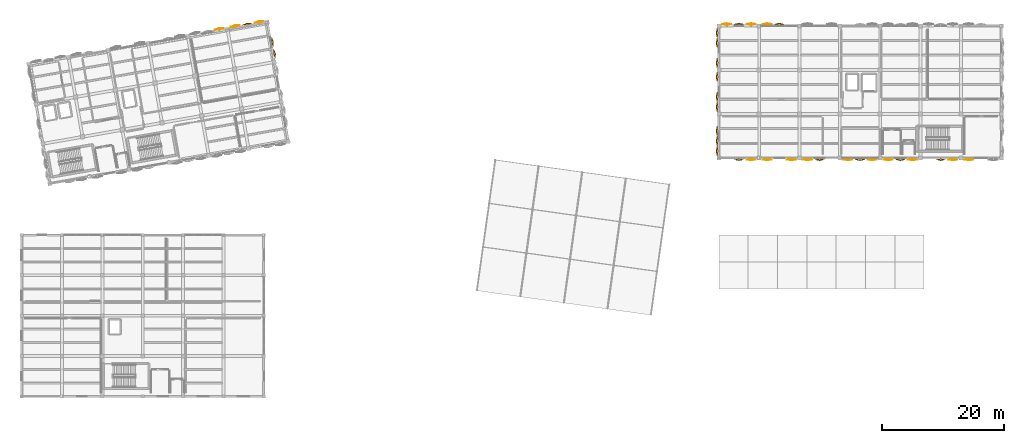
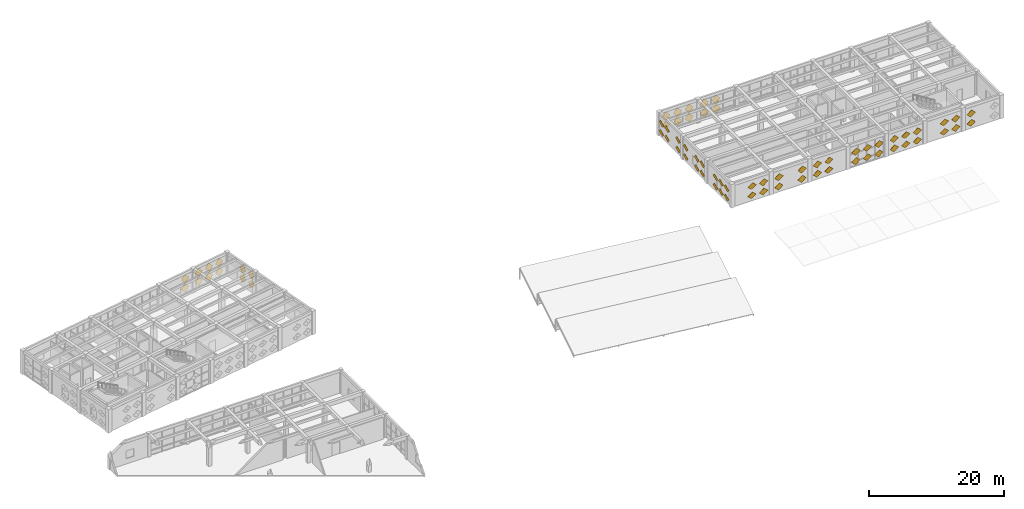
# One storey, part 47 of 48: 70 coverings.
"""IFC4 building model written with IfcOpenShell, lengths in metres."""

from ifc_helpers import new_model, si_unit, direction, frame, origin, place, context, subcontext, project, spatial, polyline, outline, extrude, material, type_object, element, save


model = new_model("IFC4")

# Units and contexts
model_context = context("Model", 3, precision=1e-05, world=origin(), true_north=direction((0.0, 1.0)))
body_context = subcontext(model_context, "Body", "Model", "MODEL_VIEW")
ifc_project = project(units=[si_unit("LENGTHUNIT", "METRE"), si_unit("AREAUNIT", "SQUARE_METRE"), si_unit("VOLUMEUNIT", "CUBIC_METRE"), si_unit("PLANEANGLEUNIT", "RADIAN"), si_unit("MASSUNIT", "GRAM", prefix="KILO")], contexts=[model_context])

# Site, building, storey
site_placement = place(None, origin())
site = spatial("IfcSite", under=ifc_project, at=site_placement, CompositionType="ELEMENT")
building_placement = place(site_placement, origin())
building = spatial("IfcBuilding", under=site, at=building_placement, Name="Kharisveld Research Institute", CompositionType="ELEMENT")
storey_placement = place(building_placement, frame((0.0, 0.0, 14.10009765625)))
storey = spatial("IfcBuildingStorey", under=building, at=storey_placement, Name="L03", CompositionType="ELEMENT", Elevation=14.10009765625)

# Coverings
ifc_material = material(Name="White Powder-Coated Perforated Aluminium", Category="aluminium")
covering_type = type_object("IfcCoveringType", Name="CV_DIA_105", PredefinedType="CLADDING")
covering_1_placement = place(storey_placement, frame((32.943115234375, 60.14697265625, 0.317626953125), z_axis=(0.171238636855, -0.971325222312, 0.164938296792), x_axis=(0.676191865964, 0.23762399085, 0.697351704219)))
element("IfcCovering", 1, at=covering_1_placement, inside=storey, type_object=covering_type, material=ifc_material, Name="SHD:V1:L03:N4:S2C0", PredefinedType="CLADDING", context=body_context, shape_type="SweptSolid", body=[
    extrude(outline(polyline([(0.0, 0.0), (1.0499451723202433, -1.1102230246251565e-16), (1.0499335917706356, 1.0500851276195962), (-0.00018183243052050102, 1.0499148413347306), (0.0, 0.0)])), origin(), (0.0, 0.0, -1.0), 0.02392578125),
])
covering_2_placement = place(storey_placement, frame((32.943115234375, 60.14697265625, 2.017578125), z_axis=(0.171238636855, -0.971325222312, 0.164938296792), x_axis=(0.676075661849, 0.237622709321, 0.697464800165)))
element("IfcCovering", 2, at=covering_2_placement, inside=storey, type_object=covering_type, material=ifc_material, Name="SHD:V1:L03:N4:S2C1", PredefinedType="CLADDING", context=body_context, shape_type="SweptSolid", body=[
    extrude(outline(polyline([(0.0, 0.0), (1.050115438007933, 0.0), (1.0501038593359955, 1.049914857016463), (0.00015870082029023624, 1.050085115691115), (0.0, 0.0)])), origin(), (0.0, 0.0, -1.0), 0.02392578125),
])
covering_3_placement = place(storey_placement, frame((35.530029296875, 60.60302734375, 0.317626953125), z_axis=(0.171260983897, -0.971289803558, 0.165123568578), x_axis=(0.67604629243, 0.23777103681, 0.697442717753)))
element("IfcCovering", 3, at=covering_3_placement, inside=storey, type_object=covering_type, material=ifc_material, Name="SHD:V1:L03:N5:S0C0", PredefinedType="CLADDING", context=body_context, shape_type="SweptSolid", body=[
    extrude(outline(polyline([(0.0, 0.0), (1.049780098206416, 0.0), (1.0500015424873141, 1.050083198396327), (-6.879389649716572e-06, 1.0499148526388677), (0.0, 0.0)])), origin(), (0.0, 0.0, -1.0), 0.02392578125),
])
covering_4_placement = place(storey_placement, frame((35.530029296875, 60.60302734375, 2.017578125), z_axis=(0.171260983897, -0.971289803558, 0.165123568578), x_axis=(0.675930071115, 0.237769766688, 0.697555787741)))
element("IfcCovering", 4, at=covering_4_placement, inside=storey, type_object=covering_type, material=ifc_material, Name="SHD:V1:L03:N5:S0C1", PredefinedType="CLADDING", context=body_context, shape_type="SweptSolid", body=[
    extrude(outline(polyline([(0.0, 0.0), (1.0499503861110382, 2.220446049250313e-16), (1.0501718035814118, 1.0499129229334039), (0.0003336699169195212, 1.0500850657008003), (0.0, 0.0)])), origin(), (0.0, 0.0, -1.0), 0.02392578125),
])
for number, where, z_axis, x_axis, name in (
    (5, (37.4931640625, 60.910400390625, 0.324951171875), (0.169497253476, -0.961447488939, 0.216539620108), (0.669709514325, 0.273559622879, 0.690401549211), "SHD:V1:L03:N5:S1C0"),
    (6, (37.4931640625, 60.910400390625, 2.025146484375), (0.169497253476, -0.961447488939, 0.216539620108), (0.669709514325, 0.273559622879, 0.690401549211), "SHD:V1:L03:N5:S1C1"),
):
    element("IfcCovering", number, at=place(storey_placement, frame(where, z_axis=z_axis, x_axis=x_axis)), inside=storey, type_object=covering_type, material=ifc_material, Name=name, PredefinedType="CLADDING", context=body_context, shape_type="SweptSolid", body=[
        extrude(outline(polyline([(0.0, 0.0), (1.0498710247482905, 1.1102230246251565e-16), (1.0500604861589913, 1.0499603082606803), (-4.0828905999434895e-05, 1.0501299918190874), (0.0, 0.0)])), origin(), (0.0, 0.0, -1.0), 0.02392578125),
    ])
covering_5_placement = place(storey_placement, frame((39.44287109375, 61.29296875, 0.317626953125), z_axis=(0.171234061711, -0.9712992705, 0.165095800177), x_axis=(0.676172534966, 0.237733660148, 0.69733306948)))
element("IfcCovering", 7, at=covering_5_placement, inside=storey, type_object=covering_type, material=ifc_material, Name="SHD:V1:L03:N5:S2C0", PredefinedType="CLADDING", context=body_context, shape_type="SweptSolid", body=[
    extrude(outline(polyline([(0.0, 0.0), (1.049945167901042, 2.220446049250313e-16), (1.0499916144071415, 1.0500832207180806), (-0.0001818412696886762, 1.0499148369138707), (0.0, 0.0)])), origin(), (0.0, 0.0, -1.0), 0.02392578125),
])
covering_6_placement = place(storey_placement, frame((39.44287109375, 61.29296875, 2.017578125), z_axis=(0.171234061711, -0.9712992705, 0.165095800177), x_axis=(0.67605633082, 0.237732396439, 0.697446159385)))
element("IfcCovering", 8, at=covering_6_placement, inside=storey, type_object=covering_type, material=ifc_material, Name="SHD:V1:L03:N5:S2C1", PredefinedType="CLADDING", context=body_context, shape_type="SweptSolid", body=[
    extrude(outline(polyline([(0.0, 0.0), (1.050115429038497, -1.1102230246251565e-16), (1.0501618771158647, 1.0499129452537745), (0.00015868288277420817, 1.050085106724131), (0.0, 0.0)])), origin(), (0.0, 0.0, -1.0), 0.02392578125),
])
for number, where, z_axis, x_axis, name in (
    (9, (41.430908203125, 58.153076171875, 0.324951171875), (-0.961425979727, -0.169653966706, 0.216512394765), (0.27364360613, -0.669810730042, 0.69027006508), "SHD:V1:L03:E3:S1C0"),
    (10, (41.430908203125, 58.153076171875, 2.025146484375), (-0.961425979727, -0.169653966706, 0.216512394765), (0.27364360613, -0.669810730042, 0.69027006508), "SHD:V1:L03:E3:S1C1"),
):
    element("IfcCovering", number, at=place(storey_placement, frame(where, z_axis=z_axis, x_axis=x_axis)), inside=storey, type_object=covering_type, material=ifc_material, Name=name, PredefinedType="CLADDING", context=body_context, shape_type="SweptSolid", body=[
        extrude(outline(polyline([(0.0, 0.0), (1.0501013332243323, 1.1102230246251565e-16), (1.050054335240126, 1.049953488129867), (-4.699798420648715e-05, 1.049953488129867), (0.0, 0.0)])), origin(), (0.0, 0.0, -1.0), 0.02392578125),
    ])
for number, where, z_axis, x_axis, name in (
    (11, (41.77587890625, 56.196533203125, 0.324951171875), (-0.961420032054, -0.169652917176, 0.216539626071), (0.273662566838, -0.66980738436, 0.690265794725), "SHD:V1:L03:E3:S2C0"),
    (12, (41.77587890625, 56.196533203125, 2.025146484375), (-0.961420032054, -0.169652917176, 0.216539626071), (0.273662566838, -0.66980738436, 0.690265794725), "SHD:V1:L03:E3:S2C1"),
):
    element("IfcCovering", number, at=place(storey_placement, frame(where, z_axis=z_axis, x_axis=x_axis)), inside=storey, type_object=covering_type, material=ifc_material, Name=name, PredefinedType="CLADDING", context=body_context, shape_type="SweptSolid", body=[
        extrude(outline(polyline([(0.0, 0.0), (1.0501013330201203, 0.0), (1.049890807434033, 1.0501299757557796), (-4.699839263988537e-05, 1.0499534879256078), (0.0, 0.0)])), origin(), (0.0, 0.0, -1.0), 0.02392578125),
    ])
for number, where, z_axis, x_axis, name in (
    (13, (114.500732421875, 40.340087890625, 0.324951171875), (0.97627595375, 0.0, 0.216530049021), (-0.153110874941, 0.707102121536, 0.690335896281), "SHD:V2:L03:W0:S0C0"),
    (14, (114.500732421875, 40.340087890625, 2.025146484375), (0.97627595375, 0.0, 0.216530049021), (-0.153110874941, 0.707102121536, 0.690335896281), "SHD:V2:L03:W0:S0C1"),
    (15, (114.500732421875, 41.97998046875, 0.324951171875), (0.97627595375, 0.0, 0.216530049021), (-0.153110874941, 0.707102121536, 0.690335896281), "SHD:V2:L03:W0:S1C0"),
    (16, (114.500732421875, 41.97998046875, 2.025146484375), (0.97627595375, 0.0, 0.216530049021), (-0.153110874941, 0.707102121536, 0.690335896281), "SHD:V2:L03:W0:S1C1"),
):
    element("IfcCovering", number, at=place(storey_placement, frame(where, z_axis=z_axis, x_axis=x_axis)), inside=storey, type_object=covering_type, material=ifc_material, Name=name, PredefinedType="CLADDING", context=body_context, shape_type="SweptSolid", body=[
        extrude(outline(polyline([(0.0, 0.0), (1.0499638142969818, -1.1102230246251565e-16), (1.0500150328164886, 1.0500011942978444), (1.3837934803917484e-05, 1.0499638142057939), (0.0, 0.0)])), origin(), (0.0, 0.0, -1.0), 0.02392578125),
    ])
for number, where, z_axis, x_axis, name in (
    (17, (114.500732421875, 43.6201171875, 0.324951171875), (0.97627595375, 0.0, 0.216530049021), (-0.153110874941, 0.707102121536, 0.690335896281), "SHD:V2:L03:W0:S2C0"),
    (18, (114.500732421875, 43.6201171875, 2.025146484375), (0.97627595375, 0.0, 0.216530049021), (-0.153110874941, 0.707102121536, 0.690335896281), "SHD:V2:L03:W0:S2C1"),
):
    element("IfcCovering", number, at=place(storey_placement, frame(where, z_axis=z_axis, x_axis=x_axis)), inside=storey, type_object=covering_type, material=ifc_material, Name=name, PredefinedType="CLADDING", context=body_context, shape_type="SweptSolid", body=[
        extrude(outline(polyline([(0.0, 0.0), (1.0499638142969818, 0.0), (1.0500150328164886, 1.0500011942978447), (-0.0001587944190866164, 1.050136448834897), (0.0, 0.0)])), origin(), (0.0, 0.0, -1.0), 0.02392578125),
    ])
for number, where, z_axis, x_axis, name in (
    (19, (114.500732421875, 47.5400390625, 0.324951171875), (0.97627595375, 0.0, 0.216530049021), (-0.153110874941, 0.707102121536, 0.690335896281), "SHD:V2:L03:W1:S0C0"),
    (20, (114.500732421875, 47.5400390625, 2.025146484375), (0.97627595375, 0.0, 0.216530049021), (-0.153110874941, 0.707102121536, 0.690335896281), "SHD:V2:L03:W1:S0C1"),
    (21, (114.500732421875, 49.179931640625, 0.324951171875), (0.97627595375, 0.0, 0.216530049021), (-0.153110874941, 0.707102121536, 0.690335896281), "SHD:V2:L03:W1:S1C0"),
    (22, (114.500732421875, 49.179931640625, 2.025146484375), (0.97627595375, 0.0, 0.216530049021), (-0.153110874941, 0.707102121536, 0.690335896281), "SHD:V2:L03:W1:S1C1"),
    (23, (114.500732421875, 52.4599609375, 0.324951171875), (0.97627595375, 0.0, 0.216530049021), (-0.153110874941, 0.707102121536, 0.690335896281), "SHD:V2:L03:W1:S3C0"),
    (24, (114.500732421875, 52.4599609375, 2.025146484375), (0.97627595375, 0.0, 0.216530049021), (-0.153110874941, 0.707102121536, 0.690335896281), "SHD:V2:L03:W1:S3C1"),
    (25, (114.500732421875, 54.739990234375, 0.324951171875), (0.97627595375, 0.0, 0.216530049021), (-0.153110874941, 0.707102121536, 0.690335896281), "SHD:V2:L03:W2:S0C0"),
    (26, (114.500732421875, 54.739990234375, 2.025146484375), (0.97627595375, 0.0, 0.216530049021), (-0.153110874941, 0.707102121536, 0.690335896281), "SHD:V2:L03:W2:S0C1"),
    (27, (114.500732421875, 58.02001953125, 0.324951171875), (0.97627595375, 0.0, 0.216530049021), (-0.153110874941, 0.707102121536, 0.690335896281), "SHD:V2:L03:W2:S2C0"),
    (28, (114.500732421875, 58.02001953125, 2.025146484375), (0.97627595375, 0.0, 0.216530049021), (-0.153110874941, 0.707102121536, 0.690335896281), "SHD:V2:L03:W2:S2C1"),
    (29, (114.500732421875, 59.659912109375, 0.324951171875), (0.97627595375, 0.0, 0.216530049021), (-0.153110874941, 0.707102121536, 0.690335896281), "SHD:V2:L03:W2:S3C0"),
    (30, (114.500732421875, 59.659912109375, 2.025146484375), (0.97627595375, 0.0, 0.216530049021), (-0.153110874941, 0.707102121536, 0.690335896281), "SHD:V2:L03:W2:S3C1"),
):
    element("IfcCovering", number, at=place(storey_placement, frame(where, z_axis=z_axis, x_axis=x_axis)), inside=storey, type_object=covering_type, material=ifc_material, Name=name, PredefinedType="CLADDING", context=body_context, shape_type="SweptSolid", body=[
        extrude(outline(polyline([(0.0, 0.0), (1.0499638142969818, -1.1102230246251565e-16), (1.0500150328164886, 1.0500011942978444), (1.3837934803917484e-05, 1.0499638142057939), (0.0, 0.0)])), origin(), (0.0, 0.0, -1.0), 0.02392578125),
    ])
covering_7_placement = place(storey_placement, frame((115.913330078125, 60.9375, 0.317626953125), z_axis=(0.0, -0.986282612269, 0.165065468031), x_axis=(0.707138821552, 0.116713622787, 0.697375521014)))
element("IfcCovering", 31, at=covering_7_placement, inside=storey, type_object=covering_type, material=ifc_material, Name="SHD:V2:L03:N0:S0C0", PredefinedType="CLADDING", context=body_context, shape_type="SweptSolid", body=[
    extrude(outline(polyline([(0.0, 0.0), (1.049909321899567, 0.0), (1.0499844306250534, 1.0500795907141018), (-9.51489700736774e-05, 1.049909317588087), (0.0, 0.0)])), origin(), (0.0, 0.0, -1.0), 0.02392578125),
])
covering_8_placement = place(storey_placement, frame((115.913330078125, 60.9375, 2.017578125), z_axis=(0.0, -0.986282612269, 0.165065468031), x_axis=(0.707024158255, 0.116732548384, 0.697488603341)))
element("IfcCovering", 32, at=covering_8_placement, inside=storey, type_object=covering_type, material=ifc_material, Name="SHD:V2:L03:N0:S0C1", PredefinedType="CLADDING", context=body_context, shape_type="SweptSolid", body=[
    extrude(outline(polyline([(0.0, 0.0), (1.0500795934002414, -1.1102230246251565e-16), (1.0501546899467695, 1.0499093192138629), (0.0002453818500782745, 1.0500795647299133), (0.0, 0.0)])), origin(), (0.0, 0.0, -1.0), 0.02392578125),
])
for number, where, z_axis, x_axis, name in (
    (33, (117.89990234375, 60.8994140625, 0.324951171875), (0.0, -0.97631069788, 0.216373337556), (0.707218351292, 0.152974909648, 0.690246970738), "SHD:V2:L03:N0:S1C0"),
    (34, (117.89990234375, 60.8994140625, 2.025146484375), (0.0, -0.97631069788, 0.216373337556), (0.707218351292, 0.152974909648, 0.690246970738), "SHD:V2:L03:N0:S1C1"),
):
    element("IfcCovering", number, at=place(storey_placement, frame(where, z_axis=z_axis, x_axis=x_axis)), inside=storey, type_object=covering_type, material=ifc_material, Name=name, PredefinedType="CLADDING", context=body_context, shape_type="SweptSolid", body=[
        extrude(outline(polyline([(0.0, 0.0), (1.0501364676030216, 1.1102230246251565e-16), (1.0498050520855338, 1.0501364153068435), (-0.00015875478719196146, 1.0499638090584367), (0.0, 0.0)])), origin(), (0.0, 0.0, -1.0), 0.02392578125),
    ])
covering_9_placement = place(storey_placement, frame((119.88671875, 60.9375, 0.317626953125), z_axis=(0.0, -0.986282612269, 0.165065468031), x_axis=(0.707138821552, 0.116713622787, 0.697375521014)))
element("IfcCovering", 35, at=covering_9_placement, inside=storey, type_object=covering_type, material=ifc_material, Name="SHD:V2:L03:N0:S2C0", PredefinedType="CLADDING", context=body_context, shape_type="SweptSolid", body=[
    extrude(outline(polyline([(0.0, 0.0), (1.049909321899567, 0.0), (1.0499844306250534, 1.0500795907141018), (-9.51489700736774e-05, 1.049909317588087), (0.0, 0.0)])), origin(), (0.0, 0.0, -1.0), 0.02392578125),
])
covering_10_placement = place(storey_placement, frame((119.88671875, 60.9375, 2.017578125), z_axis=(0.0, -0.986282612269, 0.165065468031), x_axis=(0.707024158255, 0.116732548384, 0.697488603341)))
element("IfcCovering", 36, at=covering_10_placement, inside=storey, type_object=covering_type, material=ifc_material, Name="SHD:V2:L03:N0:S2C1", PredefinedType="CLADDING", context=body_context, shape_type="SweptSolid", body=[
    extrude(outline(polyline([(0.0, 0.0), (1.0500795934002414, -1.1102230246251565e-16), (1.0501546899467695, 1.0499093192138629), (0.0002453818500782745, 1.0500795647299133), (0.0, 0.0)])), origin(), (0.0, 0.0, -1.0), 0.02392578125),
])
covering_11_placement = place(storey_placement, frame((122.513427734375, 60.9375, 0.317626953125), z_axis=(0.0, -0.986282612269, 0.165065468031), x_axis=(0.707138821552, 0.116713622787, 0.697375521014)))
element("IfcCovering", 37, at=covering_11_placement, inside=storey, type_object=covering_type, material=ifc_material, Name="SHD:V2:L03:N1:S0C0", PredefinedType="CLADDING", context=body_context, shape_type="SweptSolid", body=[
    extrude(outline(polyline([(0.0, 0.0), (1.049909321899567, 0.0), (1.0499844306250534, 1.0500795907141018), (-0.0002677902839293145, 1.0500819432568782), (0.0, 0.0)])), origin(), (0.0, 0.0, -1.0), 0.02392578125),
])
covering_12_placement = place(storey_placement, frame((122.513427734375, 60.9375, 2.017578125), z_axis=(0.0, -0.986282612269, 0.165065468031), x_axis=(0.707024158255, 0.116732548384, 0.697488603341)))
element("IfcCovering", 38, at=covering_12_placement, inside=storey, type_object=covering_type, material=ifc_material, Name="SHD:V2:L03:N1:S0C1", PredefinedType="CLADDING", context=body_context, shape_type="SweptSolid", body=[
    extrude(outline(polyline([(0.0, 0.0), (1.0500795934002414, -1.1102230246251565e-16), (1.0501546899467695, 1.0499093192138629), (7.276853019166918e-05, 1.050252218390671), (0.0, 0.0)])), origin(), (0.0, 0.0, -1.0), 0.02392578125),
])
for number, where, z_axis, x_axis, name in (
    (39, (124.5, 60.8994140625, 0.324951171875), (0.0, -0.97631069788, 0.216373337556), (0.707102116981, 0.153000063457, 0.6903604687), "SHD:V2:L03:N1:S1C0"),
    (40, (124.5, 60.8994140625, 2.025146484375), (0.0, -0.97631069788, 0.216373337556), (0.707102116981, 0.153000063457, 0.6903604687), "SHD:V2:L03:N1:S1C1"),
):
    element("IfcCovering", number, at=place(storey_placement, frame(where, z_axis=z_axis, x_axis=x_axis)), inside=storey, type_object=covering_type, material=ifc_material, Name=name, PredefinedType="CLADDING", context=body_context, shape_type="SweptSolid", body=[
        extrude(outline(polyline([(0.0, 0.0), (1.0499638210603182, 0.0), (1.0499776725217052, 1.0499638209689517), (1.3851461386993336e-05, 1.0499638209689517), (0.0, 0.0)])), origin(), (0.0, 0.0, -1.0), 0.02392578125),
    ])
covering_13_placement = place(storey_placement, frame((155.513427734375, 39.0625, 0.317626953125), z_axis=(0.0, 0.986282612269, 0.165065468031), x_axis=(-0.707255049827, -0.116694432619, 0.69726085785)))
element("IfcCovering", 41, at=covering_13_placement, inside=storey, type_object=covering_type, material=ifc_material, Name="SHD:V2:L03:S7:S2C0", PredefinedType="CLADDING", context=body_context, shape_type="SweptSolid", body=[
    extrude(outline(polyline([(0.0, 0.0), (1.0500819774026109, 1.1102230246251565e-16), (1.0498117911607456, 1.050252186157772), (-0.00026774625358971793, 1.0499092877594485), (0.0, 0.0)])), origin(), (0.0, 0.0, -1.0), 0.02392578125),
])
covering_14_placement = place(storey_placement, frame((155.513427734375, 39.0625, 2.017578125), z_axis=(0.0, 0.986282612269, 0.165065468031), x_axis=(-0.707140405383, -0.116713361327, 0.697373958764)))
element("IfcCovering", 42, at=covering_14_placement, inside=storey, type_object=covering_type, material=ifc_material, Name="SHD:V2:L03:S7:S2C1", PredefinedType="CLADDING", context=body_context, shape_type="SweptSolid", body=[
    extrude(outline(polyline([(0.0, 0.0), (1.0502522209116176, -1.1102230246251565e-16), (1.049982078466331, 1.0500819426543992), (7.275656939786934e-05, 1.0500795908797094), (0.0, 0.0)])), origin(), (0.0, 0.0, -1.0), 0.02392578125),
])
covering_15_placement = place(storey_placement, frame((152.88671875, 39.0625, 0.317626953125), z_axis=(0.0, 0.986282612269, 0.165065468031), x_axis=(-0.707138821552, -0.116713622787, 0.697375521014)))
element("IfcCovering", 43, at=covering_15_placement, inside=storey, type_object=covering_type, material=ifc_material, Name="SHD:V2:L03:S6:S0C0", PredefinedType="CLADDING", context=body_context, shape_type="SweptSolid", body=[
    extrude(outline(polyline([(0.0, 0.0), (1.049909321899567, 0.0), (1.0499844306250534, 1.0500795907141018), (-9.51489700736774e-05, 1.049909317588087), (0.0, 0.0)])), origin(), (0.0, 0.0, -1.0), 0.02392578125),
])
covering_16_placement = place(storey_placement, frame((152.88671875, 39.0625, 2.017578125), z_axis=(0.0, 0.986282612269, 0.165065468031), x_axis=(-0.707024158255, -0.116732548384, 0.697488603341)))
element("IfcCovering", 44, at=covering_16_placement, inside=storey, type_object=covering_type, material=ifc_material, Name="SHD:V2:L03:S6:S0C1", PredefinedType="CLADDING", context=body_context, shape_type="SweptSolid", body=[
    extrude(outline(polyline([(0.0, 0.0), (1.0500795934002414, -1.1102230246251565e-16), (1.0501546899467695, 1.0499093192138629), (0.0002453818500782745, 1.0500795647299133), (0.0, 0.0)])), origin(), (0.0, 0.0, -1.0), 0.02392578125),
])
for number, where, z_axis, x_axis, name in (
    (45, (150.89990234375, 39.1005859375, 0.324951171875), (0.0, 0.97631069788, 0.216373337556), (-0.707102116981, -0.153000063457, 0.6903604687), "SHD:V2:L03:S6:S1C0"),
    (46, (150.89990234375, 39.1005859375, 2.025146484375), (0.0, 0.97631069788, 0.216373337556), (-0.707102116981, -0.153000063457, 0.6903604687), "SHD:V2:L03:S6:S1C1"),
):
    element("IfcCovering", number, at=place(storey_placement, frame(where, z_axis=z_axis, x_axis=x_axis)), inside=storey, type_object=covering_type, material=ifc_material, Name=name, PredefinedType="CLADDING", context=body_context, shape_type="SweptSolid", body=[
        extrude(outline(polyline([(0.0, 0.0), (1.0499638210603182, 0.0), (1.0499776725217052, 1.0499638209689517), (-0.00015878089139154117, 1.050136455599167), (0.0, 0.0)])), origin(), (0.0, 0.0, -1.0), 0.02392578125),
    ])
covering_17_placement = place(storey_placement, frame((146.28662109375, 39.0625, 0.317626953125), z_axis=(0.0, 0.986282612269, 0.165065468031), x_axis=(-0.707138821552, -0.116713622787, 0.697375521014)))
element("IfcCovering", 47, at=covering_17_placement, inside=storey, type_object=covering_type, material=ifc_material, Name="SHD:V2:L03:S5:S0C0", PredefinedType="CLADDING", context=body_context, shape_type="SweptSolid", body=[
    extrude(outline(polyline([(0.0, 0.0), (1.049909321899567, 0.0), (1.0499844306250534, 1.0500795907141018), (-9.51489700736774e-05, 1.049909317588087), (0.0, 0.0)])), origin(), (0.0, 0.0, -1.0), 0.02392578125),
])
covering_18_placement = place(storey_placement, frame((146.28662109375, 39.0625, 2.017578125), z_axis=(0.0, 0.986282612269, 0.165065468031), x_axis=(-0.707024158255, -0.116732548384, 0.697488603341)))
element("IfcCovering", 48, at=covering_18_placement, inside=storey, type_object=covering_type, material=ifc_material, Name="SHD:V2:L03:S5:S0C1", PredefinedType="CLADDING", context=body_context, shape_type="SweptSolid", body=[
    extrude(outline(polyline([(0.0, 0.0), (1.0500795934002414, -1.1102230246251565e-16), (1.0501546899467695, 1.0499093192138629), (0.0002453818500782745, 1.0500795647299133), (0.0, 0.0)])), origin(), (0.0, 0.0, -1.0), 0.02392578125),
])
for number, where, z_axis, x_axis, name in (
    (49, (144.300048828125, 39.1005859375, 0.324951171875), (0.0, 0.97631069788, 0.216373337556), (-0.707102116981, -0.153000063457, 0.6903604687), "SHD:V2:L03:S5:S1C0"),
    (50, (144.300048828125, 39.1005859375, 2.025146484375), (0.0, 0.97631069788, 0.216373337556), (-0.707102116981, -0.153000063457, 0.6903604687), "SHD:V2:L03:S5:S1C1"),
):
    element("IfcCovering", number, at=place(storey_placement, frame(where, z_axis=z_axis, x_axis=x_axis)), inside=storey, type_object=covering_type, material=ifc_material, Name=name, PredefinedType="CLADDING", context=body_context, shape_type="SweptSolid", body=[
        extrude(outline(polyline([(0.0, 0.0), (1.0499638210603182, 0.0), (1.0499776725217052, 1.0499638209689517), (1.3851461386993336e-05, 1.0499638209689517), (0.0, 0.0)])), origin(), (0.0, 0.0, -1.0), 0.02392578125),
    ])
covering_19_placement = place(storey_placement, frame((142.313232421875, 39.0625, 0.317626953125), z_axis=(0.0, 0.986282612269, 0.165065468031), x_axis=(-0.707138821552, -0.116713622787, 0.697375521014)))
element("IfcCovering", 51, at=covering_19_placement, inside=storey, type_object=covering_type, material=ifc_material, Name="SHD:V2:L03:S5:S2C0", PredefinedType="CLADDING", context=body_context, shape_type="SweptSolid", body=[
    extrude(outline(polyline([(0.0, 0.0), (1.049909321899567, 0.0), (1.0499844306250534, 1.0500795907141018), (-0.0002677902839293145, 1.0500819432568782), (0.0, 0.0)])), origin(), (0.0, 0.0, -1.0), 0.02392578125),
])
covering_20_placement = place(storey_placement, frame((142.313232421875, 39.0625, 2.017578125), z_axis=(0.0, 0.986282612269, 0.165065468031), x_axis=(-0.707024158255, -0.116732548384, 0.697488603341)))
element("IfcCovering", 52, at=covering_20_placement, inside=storey, type_object=covering_type, material=ifc_material, Name="SHD:V2:L03:S5:S2C1", PredefinedType="CLADDING", context=body_context, shape_type="SweptSolid", body=[
    extrude(outline(polyline([(0.0, 0.0), (1.0500795934002414, -1.1102230246251565e-16), (1.0501546899467695, 1.0499093192138629), (7.276853019166918e-05, 1.050252218390671), (0.0, 0.0)])), origin(), (0.0, 0.0, -1.0), 0.02392578125),
])
covering_21_placement = place(storey_placement, frame((139.686767578125, 39.0625, 0.317626953125), z_axis=(0.0, 0.986282612269, 0.165065468031), x_axis=(-0.707255049827, -0.116694432619, 0.69726085785)))
element("IfcCovering", 53, at=covering_21_placement, inside=storey, type_object=covering_type, material=ifc_material, Name="SHD:V2:L03:S4:S0C0", PredefinedType="CLADDING", context=body_context, shape_type="SweptSolid", body=[
    extrude(outline(polyline([(0.0, 0.0), (1.0500819774026109, 1.1102230246251565e-16), (1.0498117911607456, 1.050252186157772), (-0.00026774625358971793, 1.0499092877594485), (0.0, 0.0)])), origin(), (0.0, 0.0, -1.0), 0.02392578125),
])
covering_22_placement = place(storey_placement, frame((139.686767578125, 39.0625, 2.017578125), z_axis=(0.0, 0.986282612269, 0.165065468031), x_axis=(-0.707140405383, -0.116713361327, 0.697373958764)))
element("IfcCovering", 54, at=covering_22_placement, inside=storey, type_object=covering_type, material=ifc_material, Name="SHD:V2:L03:S4:S0C1", PredefinedType="CLADDING", context=body_context, shape_type="SweptSolid", body=[
    extrude(outline(polyline([(0.0, 0.0), (1.0502522209116176, -1.1102230246251565e-16), (1.049982078466331, 1.0500819426543992), (7.275656939786934e-05, 1.0500795908797094), (0.0, 0.0)])), origin(), (0.0, 0.0, -1.0), 0.02392578125),
])
for number, where, z_axis, x_axis, name in (
    (55, (137.699951171875, 39.1005859375, 0.324951171875), (0.0, 0.97631069788, 0.216373337556), (-0.707102116981, -0.153000063457, 0.6903604687), "SHD:V2:L03:S4:S1C0"),
    (56, (137.699951171875, 39.1005859375, 2.025146484375), (0.0, 0.97631069788, 0.216373337556), (-0.707102116981, -0.153000063457, 0.6903604687), "SHD:V2:L03:S4:S1C1"),
):
    element("IfcCovering", number, at=place(storey_placement, frame(where, z_axis=z_axis, x_axis=x_axis)), inside=storey, type_object=covering_type, material=ifc_material, Name=name, PredefinedType="CLADDING", context=body_context, shape_type="SweptSolid", body=[
        extrude(outline(polyline([(0.0, 0.0), (1.0499638210603182, 0.0), (1.0499776725217052, 1.0499638209689517), (1.3851461386993336e-05, 1.0499638209689517), (0.0, 0.0)])), origin(), (0.0, 0.0, -1.0), 0.02392578125),
    ])
covering_23_placement = place(storey_placement, frame((135.71337890625, 39.0625, 0.317626953125), z_axis=(0.0, 0.986282612269, 0.165065468031), x_axis=(-0.707138821552, -0.116713622787, 0.697375521014)))
element("IfcCovering", 57, at=covering_23_placement, inside=storey, type_object=covering_type, material=ifc_material, Name="SHD:V2:L03:S4:S2C0", PredefinedType="CLADDING", context=body_context, shape_type="SweptSolid", body=[
    extrude(outline(polyline([(0.0, 0.0), (1.049909321899567, 0.0), (1.0499844306250534, 1.0500795907141018), (-9.51489700736774e-05, 1.049909317588087), (0.0, 0.0)])), origin(), (0.0, 0.0, -1.0), 0.02392578125),
])
covering_24_placement = place(storey_placement, frame((135.71337890625, 39.0625, 2.017578125), z_axis=(0.0, 0.986282612269, 0.165065468031), x_axis=(-0.707024158255, -0.116732548384, 0.697488603341)))
element("IfcCovering", 58, at=covering_24_placement, inside=storey, type_object=covering_type, material=ifc_material, Name="SHD:V2:L03:S4:S2C1", PredefinedType="CLADDING", context=body_context, shape_type="SweptSolid", body=[
    extrude(outline(polyline([(0.0, 0.0), (1.0500795934002414, -1.1102230246251565e-16), (1.0501546899467695, 1.0499093192138629), (0.0002453818500782745, 1.0500795647299133), (0.0, 0.0)])), origin(), (0.0, 0.0, -1.0), 0.02392578125),
])
for number, where, z_axis, x_axis, name in (
    (59, (131.10009765625, 39.1005859375, 0.324951171875), (0.0, 0.97631069788, 0.216373337556), (-0.707218351292, -0.152974909648, 0.690246970738), "SHD:V2:L03:S3:S1C0"),
    (60, (131.10009765625, 39.1005859375, 2.025146484375), (0.0, 0.97631069788, 0.216373337556), (-0.707218351292, -0.152974909648, 0.690246970738), "SHD:V2:L03:S3:S1C1"),
):
    element("IfcCovering", number, at=place(storey_placement, frame(where, z_axis=z_axis, x_axis=x_axis)), inside=storey, type_object=covering_type, material=ifc_material, Name=name, PredefinedType="CLADDING", context=body_context, shape_type="SweptSolid", body=[
        extrude(outline(polyline([(0.0, 0.0), (1.0501364676030216, 1.1102230246251565e-16), (1.0498050520855338, 1.0501364153068435), (-0.00015875478719196146, 1.0499638090584367), (0.0, 0.0)])), origin(), (0.0, 0.0, -1.0), 0.02392578125),
    ])
covering_25_placement = place(storey_placement, frame((129.11328125, 39.0625, 0.317626953125), z_axis=(0.0, 0.986282612269, 0.165065468031), x_axis=(-0.707138821552, -0.116713622787, 0.697375521014)))
element("IfcCovering", 61, at=covering_25_placement, inside=storey, type_object=covering_type, material=ifc_material, Name="SHD:V2:L03:S3:S2C0", PredefinedType="CLADDING", context=body_context, shape_type="SweptSolid", body=[
    extrude(outline(polyline([(0.0, 0.0), (1.049909321899567, 0.0), (1.0499844306250534, 1.0500795907141018), (-9.51489700736774e-05, 1.049909317588087), (0.0, 0.0)])), origin(), (0.0, 0.0, -1.0), 0.02392578125),
])
covering_26_placement = place(storey_placement, frame((129.11328125, 39.0625, 2.017578125), z_axis=(0.0, 0.986282612269, 0.165065468031), x_axis=(-0.707024158255, -0.116732548384, 0.697488603341)))
element("IfcCovering", 62, at=covering_26_placement, inside=storey, type_object=covering_type, material=ifc_material, Name="SHD:V2:L03:S3:S2C1", PredefinedType="CLADDING", context=body_context, shape_type="SweptSolid", body=[
    extrude(outline(polyline([(0.0, 0.0), (1.0500795934002414, -1.1102230246251565e-16), (1.0501546899467695, 1.0499093192138629), (0.0002453818500782745, 1.0500795647299133), (0.0, 0.0)])), origin(), (0.0, 0.0, -1.0), 0.02392578125),
])
covering_27_placement = place(storey_placement, frame((126.486572265625, 39.0625, 0.317626953125), z_axis=(0.0, 0.986282612269, 0.165065468031), x_axis=(-0.707138821552, -0.116713622787, 0.697375521014)))
element("IfcCovering", 63, at=covering_27_placement, inside=storey, type_object=covering_type, material=ifc_material, Name="SHD:V2:L03:S2:S0C0", PredefinedType="CLADDING", context=body_context, shape_type="SweptSolid", body=[
    extrude(outline(polyline([(0.0, 0.0), (1.049909321899567, 0.0), (1.0499844306250534, 1.0500795907141018), (-0.0002677902839293145, 1.0500819432568782), (0.0, 0.0)])), origin(), (0.0, 0.0, -1.0), 0.02392578125),
])
covering_28_placement = place(storey_placement, frame((126.486572265625, 39.0625, 2.017578125), z_axis=(0.0, 0.986282612269, 0.165065468031), x_axis=(-0.707024158255, -0.116732548384, 0.697488603341)))
element("IfcCovering", 64, at=covering_28_placement, inside=storey, type_object=covering_type, material=ifc_material, Name="SHD:V2:L03:S2:S0C1", PredefinedType="CLADDING", context=body_context, shape_type="SweptSolid", body=[
    extrude(outline(polyline([(0.0, 0.0), (1.0500795934002414, -1.1102230246251565e-16), (1.0501546899467695, 1.0499093192138629), (7.276853019166918e-05, 1.050252218390671), (0.0, 0.0)])), origin(), (0.0, 0.0, -1.0), 0.02392578125),
])
covering_29_placement = place(storey_placement, frame((122.513427734375, 39.0625, 0.317626953125), z_axis=(0.0, 0.986282612269, 0.165065468031), x_axis=(-0.707255049827, -0.116694432619, 0.69726085785)))
element("IfcCovering", 65, at=covering_29_placement, inside=storey, type_object=covering_type, material=ifc_material, Name="SHD:V2:L03:S2:S2C0", PredefinedType="CLADDING", context=body_context, shape_type="SweptSolid", body=[
    extrude(outline(polyline([(0.0, 0.0), (1.0500819774026109, 1.1102230246251565e-16), (1.0498117911607456, 1.050252186157772), (-0.00026774625358971793, 1.0499092877594485), (0.0, 0.0)])), origin(), (0.0, 0.0, -1.0), 0.02392578125),
])
covering_30_placement = place(storey_placement, frame((122.513427734375, 39.0625, 2.017578125), z_axis=(0.0, 0.986282612269, 0.165065468031), x_axis=(-0.707140405383, -0.116713361327, 0.697373958764)))
element("IfcCovering", 66, at=covering_30_placement, inside=storey, type_object=covering_type, material=ifc_material, Name="SHD:V2:L03:S2:S2C1", PredefinedType="CLADDING", context=body_context, shape_type="SweptSolid", body=[
    extrude(outline(polyline([(0.0, 0.0), (1.0502522209116176, -1.1102230246251565e-16), (1.049982078466331, 1.0500819426543992), (7.275656939786934e-05, 1.0500795908797094), (0.0, 0.0)])), origin(), (0.0, 0.0, -1.0), 0.02392578125),
])
covering_31_placement = place(storey_placement, frame((119.88671875, 39.0625, 0.317626953125), z_axis=(0.0, 0.986282612269, 0.165065468031), x_axis=(-0.707138821552, -0.116713622787, 0.697375521014)))
element("IfcCovering", 67, at=covering_31_placement, inside=storey, type_object=covering_type, material=ifc_material, Name="SHD:V2:L03:S1:S0C0", PredefinedType="CLADDING", context=body_context, shape_type="SweptSolid", body=[
    extrude(outline(polyline([(0.0, 0.0), (1.049909321899567, 0.0), (1.0499844306250534, 1.0500795907141018), (-9.51489700736774e-05, 1.049909317588087), (0.0, 0.0)])), origin(), (0.0, 0.0, -1.0), 0.02392578125),
])
covering_32_placement = place(storey_placement, frame((119.88671875, 39.0625, 2.017578125), z_axis=(0.0, 0.986282612269, 0.165065468031), x_axis=(-0.707024158255, -0.116732548384, 0.697488603341)))
element("IfcCovering", 68, at=covering_32_placement, inside=storey, type_object=covering_type, material=ifc_material, Name="SHD:V2:L03:S1:S0C1", PredefinedType="CLADDING", context=body_context, shape_type="SweptSolid", body=[
    extrude(outline(polyline([(0.0, 0.0), (1.0500795934002414, -1.1102230246251565e-16), (1.0501546899467695, 1.0499093192138629), (0.0002453818500782745, 1.0500795647299133), (0.0, 0.0)])), origin(), (0.0, 0.0, -1.0), 0.02392578125),
])
for number, where, z_axis, x_axis, name in (
    (69, (117.89990234375, 39.1005859375, 0.324951171875), (0.0, 0.97631069788, 0.216373337556), (-0.707102116981, -0.153000063457, 0.6903604687), "SHD:V2:L03:S1:S1C0"),
    (70, (117.89990234375, 39.1005859375, 2.025146484375), (0.0, 0.97631069788, 0.216373337556), (-0.707102116981, -0.153000063457, 0.6903604687), "SHD:V2:L03:S1:S1C1"),
):
    element("IfcCovering", number, at=place(storey_placement, frame(where, z_axis=z_axis, x_axis=x_axis)), inside=storey, type_object=covering_type, material=ifc_material, Name=name, PredefinedType="CLADDING", context=body_context, shape_type="SweptSolid", body=[
        extrude(outline(polyline([(0.0, 0.0), (1.0499638210603182, 0.0), (1.0499776725217052, 1.0499638209689517), (-0.00015878089139154117, 1.050136455599167), (0.0, 0.0)])), origin(), (0.0, 0.0, -1.0), 0.02392578125),
    ])

save(model, "model.ifc")
